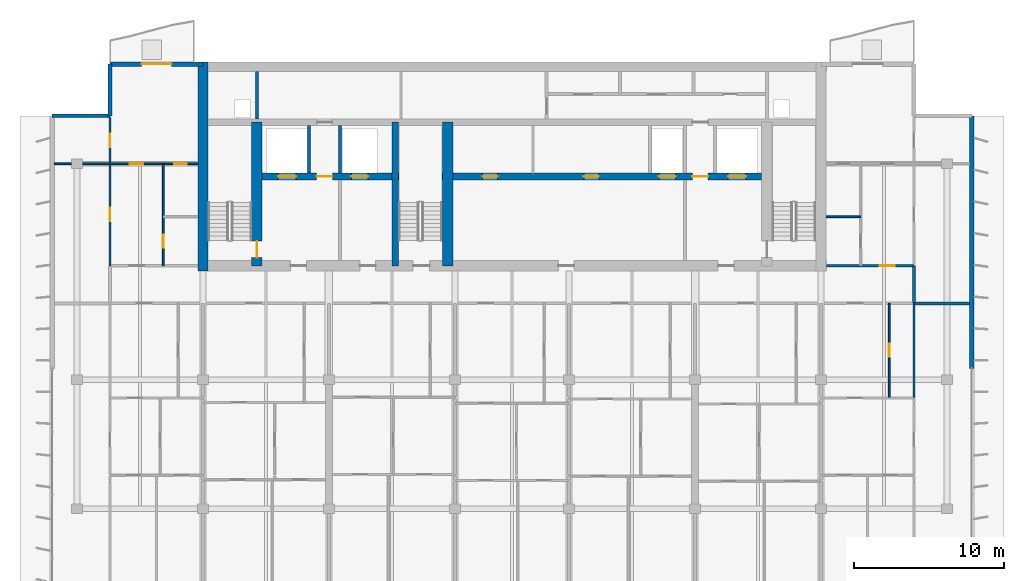
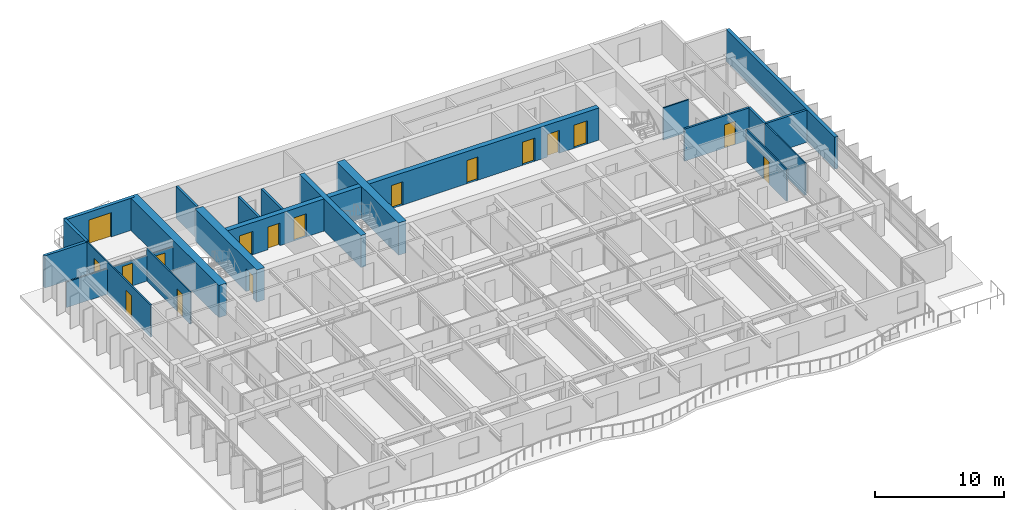
# One storey, part 10 of 17: 21 walls, 17 doors, 17 openings.
"""IFC4 building model written with IfcOpenShell, lengths in metres."""

from ifc_helpers import new_model, si_unit, direction, frame, frame_2d, origin, place, context, subcontext, project, spatial, rectangle, extrude, material, layer, layer_set, type_object, element, fill, save


model = new_model("IFC4")

# Units and contexts
model_context = context("Model", 3, precision=1e-05, world=origin(), true_north=direction((0.0, 1.0)))
body_context = subcontext(model_context, "Body", "Model", "MODEL_VIEW")
ifc_project = project(units=[si_unit("LENGTHUNIT", "METRE"), si_unit("AREAUNIT", "SQUARE_METRE"), si_unit("VOLUMEUNIT", "CUBIC_METRE"), si_unit("PLANEANGLEUNIT", "RADIAN"), si_unit("MASSUNIT", "GRAM", prefix="KILO")], contexts=[model_context])

# Site, building, storey
site_placement = place(None, origin())
site = spatial("IfcSite", under=ifc_project, at=site_placement, CompositionType="ELEMENT")
building_placement = place(site_placement, origin())
building = spatial("IfcBuilding", under=site, at=building_placement, Name="Caelmar Bay Residences", CompositionType="ELEMENT")
storey_placement = place(building_placement, frame((0.0, 0.0, 226.5)))
storey = spatial("IfcBuildingStorey", under=building, at=storey_placement, Name="L63", CompositionType="ELEMENT", Elevation=226.5)

# Wall
ifc_material_1 = material(Name="Concrete f'c 55 MPa (8,000 psi)", Category="concrete")
ifc_layer_1 = layer(ifc_material_1, 0.699951171875)
ifc_layer_set_1 = layer_set([ifc_layer_1], Name="Concrete f'c 55 MPa (8,000 psi)")
wall_type_1 = type_object("IfcWallType", Name="SW-COR-700", PredefinedType="SHEAR", material=ifc_layer_set_1)
wall_1_placement = place(storey_placement, frame((18.300048828125, 36.64990234375, 0.0), z_axis=(0.0, 0.0, 1.0), x_axis=(0.0, 1.0, 0.0)))
element("IfcWall", 1, at=wall_1_placement, inside=storey, type_object=wall_type_1, Name="L63 Rear Core West Shear Wall", PredefinedType="SHEAR", context=body_context, shape_type="SweptSolid", body=[
    extrude(rectangle(XDim=13.9501953125, YDim=0.699951171875, at=frame_2d((6.97509765625, 0.0))), origin(), (0.0, 0.0, 1.0), 3.050048828125),
])

# Wall, opening, door
wall_2_placement = place(storey_placement, frame((21.89990234375, 37.0, 0.0), z_axis=(0.0, 0.0, 1.0), x_axis=(0.0, 1.0, 0.0)))
wall_2 = element("IfcWall", 2, at=wall_2_placement, inside=storey, type_object=wall_type_1, Name="L63 Core Structural Web Wall ST1E", PredefinedType="SHEAR", context=body_context, shape_type="SweptSolid", body=[
    extrude(rectangle(XDim=9.574951171875, YDim=0.699951171875, at=frame_2d((4.78759765625, 0.0))), origin(), (0.0, 0.0, 1.0), 3.050048828125),
])
opening_1_placement = place(wall_2_placement, frame((0.550048828125, 0.0, 0.0)))
opening_1 = element("IfcOpeningElement", 3, at=opening_1_placement, cuts=wall_2, Name="Opening D-L63-107", PredefinedType="OPENING", context=body_context, shape_type="SweptSolid", body=[
    extrude(rectangle(XDim=1.10009765625, YDim=2.14990234375, at=frame_2d((0.550048828125, 1.074951171875))), frame((0.0, 0.35986328125, 0.0), z_axis=(0.0, -1.0, 0.0), x_axis=(1.0, 0.0, 0.0)), (0.0, 0.0, 1.0), 0.719970703125),
])
ifc_material_2 = material(Name="Fire-rated steel and walnut architectural door assembly", Category="steel")
ifc_layer_2 = layer(ifc_material_2, 0.050048828125)
ifc_layer_set_2 = layer_set([ifc_layer_2], Name="Fire-rated steel and walnut architectural door assembly")
door_type_1 = type_object("IfcDoorType", Name="D-STAIR-1100", OperationType="NOTDEFINED", PredefinedType="DOOR", material=ifc_layer_set_2)
door_1_placement = place(opening_1_placement, origin())
door_1 = element("IfcDoor", 4, at=door_1_placement, inside=storey, type_object=door_type_1, Name="L63 Firefighting Lobby West Door", OperationType="SINGLE_SWING_RIGHT", OverallHeight=2.14990234375, OverallWidth=1.10009765625, PredefinedType="DOOR", context=body_context, shape_type="SweptSolid", body=[
    extrude(rectangle(XDim=1.10009765625, YDim=2.14990234375, at=frame_2d((0.550048828125, 1.074951171875))), frame((0.0, 0.02490234375, 0.0), z_axis=(0.0, -1.0, 0.0), x_axis=(1.0, 0.0, 0.0)), (0.0, 0.0, 1.0), 0.050048828125),
])
fill(opening_1, door_1)

# Walls
wall_3_placement = place(storey_placement, frame((34.60009765625, 37.0, 0.0), z_axis=(0.0, 0.0, 1.0), x_axis=(0.0, 1.0, 0.0)))
element("IfcWall", 5, at=wall_3_placement, inside=storey, type_object=wall_type_1, Name="L63 Core Structural Web Wall ST3E", PredefinedType="SHEAR", context=body_context, shape_type="SweptSolid", body=[
    extrude(rectangle(XDim=9.574951171875, YDim=0.699951171875, at=frame_2d((4.78759765625, 0.0))), origin(), (0.0, 0.0, 1.0), 3.050048828125),
])
ifc_material_3 = material(Name="Concrete f'c 70 MPa (10,000 psi)", Category="concrete")
ifc_layer_3 = layer(ifc_material_3, 0.449951171875)
ifc_layer_set_3 = layer_set([ifc_layer_3], Name="Concrete f'c 70 MPa (10,000 psi)")
wall_type_2 = type_object("IfcWallType", Name="SW-WEB-450", PredefinedType="SHEAR", material=ifc_layer_set_3)
wall_4_placement = place(storey_placement, frame((31.125, 37.0, 0.0), z_axis=(0.0, 0.0, 1.0), x_axis=(0.0, 1.0, 0.0)))
element("IfcWall", 6, at=wall_4_placement, inside=storey, type_object=wall_type_2, Name="L63 Core Structural Web Wall ST3W", PredefinedType="SHEAR", context=body_context, shape_type="SweptSolid", body=[
    extrude(rectangle(XDim=9.574951171875, YDim=0.449951171875, at=frame_2d((4.78759765625, 0.0))), origin(), (0.0, 0.0, 1.0), 3.050048828125),
])

# Wall, openings, doors
wall_5_placement = place(storey_placement, frame((22.25, 42.949951171875, 0.0), z_axis=(0.0, 0.0, 1.0), x_axis=(1.0, 0.0, 0.0)))
wall_5 = element("IfcWall", 7, at=wall_5_placement, inside=storey, type_object=wall_type_2, Name="L63 Core Structural Web Wall LFR", PredefinedType="SHEAR", context=body_context, shape_type="SweptSolid", body=[
    extrude(rectangle(XDim=33.300048828125, YDim=0.449951171875, at=frame_2d((16.64990234375, 0.0))), origin(), (0.0, 0.0, 1.0), 3.050048828125),
])
opening_2_placement = place(wall_5_placement, frame((1.050048828125, 0.0, 0.0)))
opening_2 = element("IfcOpeningElement", 8, at=opening_2_placement, cuts=wall_5, Name="Opening LD2", PredefinedType="OPENING", context=body_context, shape_type="SweptSolid", body=[
    extrude(rectangle(XDim=1.199951171875, YDim=2.199951171875, at=frame_2d((0.60009765625, 1.10009765625))), frame((0.0, 0.23486328125, 0.0), z_axis=(0.0, -1.0, 0.0), x_axis=(1.0, 0.0, 0.0)), (0.0, 0.0, 1.0), 0.469970703125),
])
opening_3_placement = place(wall_5_placement, frame((31.050048828125, 0.0, 0.0)))
opening_3 = element("IfcOpeningElement", 9, at=opening_3_placement, cuts=wall_5, Name="Opening LD2", PredefinedType="OPENING", context=body_context, shape_type="SweptSolid", body=[
    extrude(rectangle(XDim=1.199951171875, YDim=2.199951171875, at=frame_2d((0.60009765625, 1.10009765625))), frame((0.0, 0.23486328125, 0.0), z_axis=(0.0, -1.0, 0.0), x_axis=(1.0, 0.0, 0.0)), (0.0, 0.0, 1.0), 0.469970703125),
])
opening_4_placement = place(wall_5_placement, frame((26.449951171875, 0.0, 0.0)))
opening_4 = element("IfcOpeningElement", 10, at=opening_4_placement, cuts=wall_5, Name="Opening LD1", PredefinedType="OPENING", context=body_context, shape_type="SweptSolid", body=[
    extrude(rectangle(XDim=1.10009765625, YDim=2.199951171875, at=frame_2d((0.550048828125, 1.10009765625))), frame((0.0, 0.23486328125, 0.0), z_axis=(0.0, -1.0, 0.0), x_axis=(1.0, 0.0, 0.0)), (0.0, 0.0, 1.0), 0.469970703125),
])
opening_5_placement = place(wall_5_placement, frame((5.949951171875, 0.0, 0.0)))
opening_5 = element("IfcOpeningElement", 11, at=opening_5_placement, cuts=wall_5, Name="Opening LD1", PredefinedType="OPENING", context=body_context, shape_type="SweptSolid", body=[
    extrude(rectangle(XDim=1.10009765625, YDim=2.199951171875, at=frame_2d((0.550048828125, 1.10009765625))), frame((0.0, 0.23486328125, 0.0), z_axis=(0.0, -1.0, 0.0), x_axis=(1.0, 0.0, 0.0)), (0.0, 0.0, 1.0), 0.469970703125),
])
opening_6_placement = place(wall_5_placement, frame((3.625, 0.0, 0.0)))
opening_6 = element("IfcOpeningElement", 12, at=opening_6_placement, cuts=wall_5, Name="Opening D-L63-108", PredefinedType="OPENING", context=body_context, shape_type="SweptSolid", body=[
    extrude(rectangle(XDim=1.050048828125, YDim=2.14990234375, at=frame_2d((0.52490234375, 1.074951171875))), frame((0.0, 0.23486328125, 0.0), z_axis=(0.0, -1.0, 0.0), x_axis=(1.0, 0.0, 0.0)), (0.0, 0.0, 1.0), 0.469970703125),
])
opening_7_placement = place(wall_5_placement, frame((28.675048828125, 0.0, 0.0)))
opening_7 = element("IfcOpeningElement", 13, at=opening_7_placement, cuts=wall_5, Name="Opening D-L63-111", PredefinedType="OPENING", context=body_context, shape_type="SweptSolid", body=[
    extrude(rectangle(XDim=1.050048828125, YDim=2.14990234375, at=frame_2d((0.52490234375, 1.074951171875))), frame((0.0, 0.23486328125, 0.0), z_axis=(0.0, -1.0, 0.0), x_axis=(1.0, 0.0, 0.0)), (0.0, 0.0, 1.0), 0.469970703125),
])
opening_8_placement = place(wall_5_placement, frame((14.699951171875, 0.0, 0.0)))
opening_8 = element("IfcOpeningElement", 14, at=opening_8_placement, cuts=wall_5, Name="Opening D-L63-114", PredefinedType="OPENING", context=body_context, shape_type="SweptSolid", body=[
    extrude(rectangle(XDim=1.0, YDim=2.199951171875, at=frame_2d((0.5, 1.10009765625))), frame((0.0, 0.23486328125, 0.0), z_axis=(0.0, -1.0, 0.0), x_axis=(1.0, 0.0, 0.0)), (0.0, 0.0, 1.0), 0.469970703125),
])
opening_9_placement = place(wall_5_placement, frame((21.449951171875, 0.0, 0.0)))
opening_9 = element("IfcOpeningElement", 15, at=opening_9_placement, cuts=wall_5, Name="Opening D-L63-115", PredefinedType="OPENING", context=body_context, shape_type="SweptSolid", body=[
    extrude(rectangle(XDim=1.0, YDim=2.199951171875, at=frame_2d((0.5, 1.10009765625))), frame((0.0, 0.23486328125, 0.0), z_axis=(0.0, -1.0, 0.0), x_axis=(1.0, 0.0, 0.0)), (0.0, 0.0, 1.0), 0.469970703125),
])
ifc_layer_4 = layer(ifc_material_2, 0.050048828125)
ifc_layer_set_4 = layer_set([ifc_layer_4], Name="Fire-rated steel and walnut architectural door assembly")
door_type_2 = type_object("IfcDoorType", Name="D-FSAE-1050", OperationType="NOTDEFINED", PredefinedType="DOOR", material=ifc_layer_set_4)
door_2_placement = place(opening_6_placement, origin())
door_2 = element("IfcDoor", 16, at=door_2_placement, inside=storey, type_object=door_type_2, Name="L63 Firefighting Lobby West Door", OperationType="SINGLE_SWING_LEFT", OverallHeight=2.14990234375, OverallWidth=1.050048828125, PredefinedType="DOOR", context=body_context, shape_type="SweptSolid", body=[
    extrude(rectangle(XDim=1.050048828125, YDim=2.14990234375, at=frame_2d((0.52490234375, 1.074951171875))), frame((0.0, 0.02490234375, 0.0), z_axis=(0.0, -1.0, 0.0), x_axis=(1.0, 0.0, 0.0)), (0.0, 0.0, 1.0), 0.050048828125),
])
fill(opening_6, door_2)
door_3_placement = place(opening_7_placement, origin())
door_3 = element("IfcDoor", 17, at=door_3_placement, inside=storey, type_object=door_type_2, Name="L63 Firefighting Lobby East Door", OperationType="SINGLE_SWING_RIGHT", OverallHeight=2.14990234375, OverallWidth=1.050048828125, PredefinedType="DOOR", context=body_context, shape_type="SweptSolid", body=[
    extrude(rectangle(XDim=1.050048828125, YDim=2.14990234375, at=frame_2d((0.52490234375, 1.074951171875))), frame((0.0, 0.02490234375, 0.0), z_axis=(0.0, -1.0, 0.0), x_axis=(1.0, 0.0, 0.0)), (0.0, 0.0, 1.0), 0.050048828125),
])
fill(opening_7, door_3)
ifc_material_4 = material(Name="Brushed bronze stainless-steel fire-rated lift landing doors", Category="steel")
ifc_layer_5 = layer(ifc_material_4, 0.050048828125)
ifc_layer_set_5 = layer_set([ifc_layer_5], Name="Brushed bronze stainless-steel fire-rated lift landing doors")
door_type_3 = type_object("IfcDoorType", Name="D-LND-1100", OperationType="DOUBLE_DOOR_SLIDING", PredefinedType="DOOR", material=ifc_layer_set_5)
door_4_placement = place(opening_4_placement, origin())
door_4 = element("IfcDoor", 18, at=door_4_placement, inside=storey, type_object=door_type_3, Name="L63 LP6 Sliding Landing Door", OperationType="DOUBLE_DOOR_SLIDING", OverallHeight=2.199951171875, OverallWidth=1.10009765625, PredefinedType="DOOR", context=body_context, shape_type="SweptSolid", body=[
    extrude(rectangle(XDim=1.10009765625, YDim=2.199951171875, at=frame_2d((0.550048828125, 1.10009765625))), frame((0.0, 0.02490234375, 0.0), z_axis=(0.0, -1.0, 0.0), x_axis=(1.0, 0.0, 0.0)), (0.0, 0.0, 1.0), 0.050048828125),
])
fill(opening_4, door_4)
door_5_placement = place(opening_5_placement, origin())
door_5 = element("IfcDoor", 19, at=door_5_placement, inside=storey, type_object=door_type_3, Name="L63 LP7 Sliding Landing Door", OperationType="DOUBLE_DOOR_SLIDING", OverallHeight=2.199951171875, OverallWidth=1.10009765625, PredefinedType="DOOR", context=body_context, shape_type="SweptSolid", body=[
    extrude(rectangle(XDim=1.10009765625, YDim=2.199951171875, at=frame_2d((0.550048828125, 1.10009765625))), frame((0.0, 0.02490234375, 0.0), z_axis=(0.0, -1.0, 0.0), x_axis=(1.0, 0.0, 0.0)), (0.0, 0.0, 1.0), 0.050048828125),
])
fill(opening_5, door_5)
ifc_material_5 = material(Name="Brushed stainless-steel FSAE sliding landing door", Category="steel")
ifc_layer_6 = layer(ifc_material_5, 0.050048828125)
ifc_layer_set_6 = layer_set([ifc_layer_6], Name="Brushed stainless-steel FSAE sliding landing door")
door_type_4 = type_object("IfcDoorType", Name="D-LND-1200", OperationType="DOUBLE_DOOR_SLIDING", PredefinedType="DOOR", material=ifc_layer_set_6)
door_6_placement = place(opening_2_placement, origin())
door_6 = element("IfcDoor", 20, at=door_6_placement, inside=storey, type_object=door_type_4, Name="L63 LF1 Sliding Landing Door", OperationType="DOUBLE_DOOR_SLIDING", OverallHeight=2.199951171875, OverallWidth=1.199951171875, PredefinedType="DOOR", context=body_context, shape_type="SweptSolid", body=[
    extrude(rectangle(XDim=1.199951171875, YDim=2.199951171875, at=frame_2d((0.60009765625, 1.10009765625))), frame((0.0, 0.02490234375, 0.0), z_axis=(0.0, -1.0, 0.0), x_axis=(1.0, 0.0, 0.0)), (0.0, 0.0, 1.0), 0.050048828125),
])
fill(opening_2, door_6)
door_7_placement = place(opening_3_placement, origin())
door_7 = element("IfcDoor", 21, at=door_7_placement, inside=storey, type_object=door_type_4, Name="L63 LF2 Sliding Landing Door", OperationType="DOUBLE_DOOR_SLIDING", OverallHeight=2.199951171875, OverallWidth=1.199951171875, PredefinedType="DOOR", context=body_context, shape_type="SweptSolid", body=[
    extrude(rectangle(XDim=1.199951171875, YDim=2.199951171875, at=frame_2d((0.60009765625, 1.10009765625))), frame((0.0, 0.02490234375, 0.0), z_axis=(0.0, -1.0, 0.0), x_axis=(1.0, 0.0, 0.0)), (0.0, 0.0, 1.0), 0.050048828125),
])
fill(opening_3, door_7)
ifc_layer_7 = layer(ifc_material_2, 0.050048828125)
ifc_layer_set_7 = layer_set([ifc_layer_7], Name="Fire-rated steel and walnut architectural door assembly")
door_type_5 = type_object("IfcDoorType", Name="D-UNIT-1000", OperationType="NOTDEFINED", PredefinedType="DOOR", material=ifc_layer_set_7)
door_8_placement = place(opening_8_placement, origin())
door_8 = element("IfcDoor", 22, at=door_8_placement, inside=storey, type_object=door_type_5, Name="L63 Executive Study Door", OperationType="SINGLE_SWING_LEFT", OverallHeight=2.199951171875, OverallWidth=1.0, PredefinedType="DOOR", context=body_context, shape_type="SweptSolid", body=[
    extrude(rectangle(XDim=1.0, YDim=2.199951171875, at=frame_2d((0.5, 1.10009765625))), frame((0.0, 0.02490234375, 0.0), z_axis=(0.0, -1.0, 0.0), x_axis=(1.0, 0.0, 0.0)), (0.0, 0.0, 1.0), 0.050048828125),
])
fill(opening_8, door_8)
door_9_placement = place(opening_9_placement, origin())
door_9 = element("IfcDoor", 23, at=door_9_placement, inside=storey, type_object=door_type_5, Name="L63 Residents Reading Lounge Door", OperationType="SINGLE_SWING_RIGHT", OverallHeight=2.199951171875, OverallWidth=1.0, PredefinedType="DOOR", context=body_context, shape_type="SweptSolid", body=[
    extrude(rectangle(XDim=1.0, YDim=2.199951171875, at=frame_2d((0.5, 1.10009765625))), frame((0.0, 0.02490234375, 0.0), z_axis=(0.0, -1.0, 0.0), x_axis=(1.0, 0.0, 0.0)), (0.0, 0.0, 1.0), 0.050048828125),
])
fill(opening_9, door_9)

# Wall
ifc_material_6 = material(Name="Double-stud acoustic fire-rated gypsum partition 180 mm")
ifc_layer_8 = layer(ifc_material_6, 0.179931640625)
ifc_layer_set_8 = layer_set([ifc_layer_8], Name="Double-stud acoustic fire-rated gypsum partition 180 mm")
wall_type_3 = type_object("IfcWallType", Name="W-COR-200", PredefinedType="PARTITIONING", material=ifc_layer_set_8)
wall_6_placement = place(storey_placement, frame((65.699951171875, 34.5048828125, 0.0), z_axis=(0.0, 0.0, 1.0), x_axis=(0.0, 1.0, 0.0)))
element("IfcWall", 24, at=wall_6_placement, inside=storey, type_object=wall_type_3, Name="L63 Partition Wall V099", PredefinedType="PARTITIONING", context=body_context, shape_type="SweptSolid", body=[
    extrude(rectangle(XDim=2.4951171875, YDim=0.179931640625, at=frame_2d((1.24755859375, 0.0))), origin(), (0.0, 0.0, 1.0), 3.050048828125),
])

# Wall, opening, door
wall_7_placement = place(storey_placement, frame((59.85498046875, 37.0, 0.0), z_axis=(0.0, 0.0, 1.0), x_axis=(1.0, 0.0, 0.0)))
wall_7 = element("IfcWall", 25, at=wall_7_placement, inside=storey, type_object=wall_type_3, Name="L63 Partition Wall H124", PredefinedType="PARTITIONING", context=body_context, shape_type="SweptSolid", body=[
    extrude(rectangle(XDim=5.844970703125, YDim=0.179931640625, at=frame_2d((2.92236328125, 0.0))), origin(), (0.0, 0.0, 1.0), 3.050048828125),
])
opening_10_placement = place(wall_7_placement, frame((3.570068359375, 0.0, 0.0)))
opening_10 = element("IfcOpeningElement", 26, at=opening_10_placement, cuts=wall_7, Name="Opening D-L63-173", PredefinedType="OPENING", context=body_context, shape_type="SweptSolid", body=[
    extrude(rectangle(XDim=1.0, YDim=2.199951171875, at=frame_2d((0.5, 1.10009765625))), frame((0.0, 0.099853515625, 0.0), z_axis=(0.0, -1.0, 0.0), x_axis=(1.0, 0.0, 0.0)), (0.0, 0.0, 1.0), 0.199951171875),
])
door_10_placement = place(opening_10_placement, origin())
door_10 = element("IfcDoor", 27, at=door_10_placement, inside=storey, type_object=door_type_5, Name="L63 Residence EA Kitchen Door", OperationType="SINGLE_SWING_RIGHT", OverallHeight=2.199951171875, OverallWidth=1.0, PredefinedType="DOOR", context=body_context, shape_type="SweptSolid", body=[
    extrude(rectangle(XDim=1.0, YDim=2.199951171875, at=frame_2d((0.5, 1.10009765625))), frame((0.0, 0.02490234375, 0.0), z_axis=(0.0, -1.0, 0.0), x_axis=(1.0, 0.0, 0.0)), (0.0, 0.0, 1.0), 0.050048828125),
])
fill(opening_10, door_10)

# Walls
ifc_material_7 = material(Name="Precast concrete f'c 40 MPa (6,000 psi)", Category="concrete")
ifc_layer_9 = layer(ifc_material_7, 0.25)
ifc_layer_set_9 = layer_set([ifc_layer_9], Name="Precast concrete f'c 40 MPa (6,000 psi)")
wall_type_4 = type_object("IfcWallType", Name="W-EXT-250", PredefinedType="ELEMENTEDWALL", material=ifc_layer_set_9)
wall_8_placement = place(storey_placement, frame((8.25, 47.0, 0.0), z_axis=(0.0, 0.0, 1.0), x_axis=(1.0, 0.0, 0.0)))
element("IfcWall", 28, at=wall_8_placement, inside=storey, type_object=wall_type_4, Name="L63 NNW-H Notch Wall", PredefinedType="ELEMENTEDWALL", context=body_context, shape_type="SweptSolid", body=[
    extrude(rectangle(XDim=3.85009765625, YDim=0.25, at=frame_2d((1.925048828125, 0.0))), origin(), (0.0, 0.0, 1.0), 3.050048828125),
])
wall_9_placement = place(storey_placement, frame((12.10009765625, 47.0, 0.0), z_axis=(0.0, 0.0, 1.0), x_axis=(0.0, 1.0, 0.0)))
element("IfcWall", 29, at=wall_9_placement, inside=storey, type_object=wall_type_4, Name="L63 NNW-V Notch Wall", PredefinedType="ELEMENTEDWALL", context=body_context, shape_type="SweptSolid", body=[
    extrude(rectangle(XDim=3.449951171875, YDim=0.25, at=frame_2d((1.72509765625, 0.0))), origin(), (0.0, 0.0, 1.0), 3.050048828125),
])
ifc_layer_10 = layer(ifc_material_7, 0.300048828125)
ifc_layer_set_10 = layer_set([ifc_layer_10], Name="Precast concrete f'c 40 MPa (6,000 psi)")
wall_type_5 = type_object("IfcWallType", Name="W-EXT-300", PredefinedType="STANDARD", material=ifc_layer_set_10)
wall_10_placement = place(storey_placement, frame((69.550048828125, 47.0, 0.0), z_axis=(0.0, 0.0, 1.0), x_axis=(0.0, -1.0, 0.0)))
element("IfcWall", 30, at=wall_10_placement, inside=storey, type_object=wall_type_5, Name="L63 East Rear Exterior Wall", PredefinedType="STANDARD", context=body_context, shape_type="SweptSolid", body=[
    extrude(rectangle(XDim=16.85009765625, YDim=0.300048828125, at=frame_2d((8.425048828125, 0.0))), origin(), (0.0, 0.0, 1.0), 3.050048828125),
])

# Wall, opening, door
wall_11_placement = place(storey_placement, frame((12.10009765625, 50.449951171875, 0.0), z_axis=(0.0, 0.0, 1.0), x_axis=(1.0, 0.0, 0.0)))
wall_11 = element("IfcWall", 31, at=wall_11_placement, inside=storey, type_object=wall_type_5, Name="L63 North-West Wing Exterior Wall", PredefinedType="STANDARD", context=body_context, shape_type="SweptSolid", body=[
    extrude(rectangle(XDim=6.199951171875, YDim=0.300048828125, at=frame_2d((3.10009765625, 0.0))), origin(), (0.0, 0.0, 1.0), 3.050048828125),
])
opening_11_placement = place(wall_11_placement, frame((2.10009765625, 0.0, 0.0)))
opening_11 = element("IfcOpeningElement", 32, at=opening_11_placement, cuts=wall_11, Name="Opening L63-BDNW", PredefinedType="OPENING", context=body_context, shape_type="SweptSolid", body=[
    extrude(rectangle(XDim=2.0, YDim=2.300048828125, at=frame_2d((1.0, 1.14990234375))), frame((0.0, 0.159912109375, 0.0), z_axis=(0.0, -1.0, 0.0), x_axis=(1.0, 0.0, 0.0)), (0.0, 0.0, 1.0), 0.320068359375),
])
ifc_material_8 = material(Name="Anodised bronze thermally broken sliding glass door", Category="glass")
ifc_layer_11 = layer(ifc_material_8, 0.050048828125)
ifc_layer_set_11 = layer_set([ifc_layer_11], Name="Anodised bronze thermally broken sliding glass door")
door_type_6 = type_object("IfcDoorType", Name="D-BAL-2000", OperationType="DOUBLE_DOOR_SLIDING", PredefinedType="DOOR", material=ifc_layer_set_11)
door_11_placement = place(opening_11_placement, origin())
door_11 = element("IfcDoor", 33, at=door_11_placement, inside=storey, type_object=door_type_6, Name="L63 North-West Balcony Door", OperationType="DOUBLE_DOOR_SLIDING", OverallHeight=2.300048828125, OverallWidth=2.0, PredefinedType="DOOR", context=body_context, shape_type="SweptSolid", body=[
    extrude(rectangle(XDim=2.0, YDim=2.300048828125, at=frame_2d((1.0, 1.14990234375))), frame((0.0, 0.02490234375, 0.0), z_axis=(0.0, -1.0, 0.0), x_axis=(1.0, 0.0, 0.0)), (0.0, 0.0, 1.0), 0.050048828125),
])
fill(opening_11, door_11)

# Walls
ifc_material_9 = material(Name="Fire-rated masonry and gypsum shaftliner assembly 200 mm", Category="masonry")
ifc_layer_12 = layer(ifc_material_9, 0.199951171875)
ifc_layer_set_12 = layer_set([ifc_layer_12], Name="Fire-rated masonry and gypsum shaftliner assembly 200 mm")
wall_type_6 = type_object("IfcWallType", Name="W-FSAE-200", PredefinedType="PARTITIONING", material=ifc_layer_set_12)
wall_12_placement = place(storey_placement, frame((21.89990234375, 46.794921875, 0.0), z_axis=(0.0, 0.0, 1.0), x_axis=(0.0, 1.0, 0.0)))
element("IfcWall", 34, at=wall_12_placement, inside=storey, type_object=wall_type_6, Name="L63 Partition Wall V021", PredefinedType="PARTITIONING", context=body_context, shape_type="SweptSolid", body=[
    extrude(rectangle(XDim=3.16015625, YDim=0.199951171875, at=frame_2d((1.580078125, 0.0))), origin(), (0.0, 0.0, 1.0), 3.050048828125),
])
for number, where, z_axis, x_axis, name in (
    (35, (25.35009765625, 43.169921875, 0.0), (0.0, 0.0, 1.0), (0.0, 1.0, 0.0), "L63 Partition Wall V028"),
    (36, (27.449951171875, 43.169921875, 0.0), (0.0, 0.0, 1.0), (0.0, 1.0, 0.0), "L63 Partition Wall V033"),
):
    element("IfcWall", number, at=place(storey_placement, frame(where, z_axis=z_axis, x_axis=x_axis)), inside=storey, type_object=wall_type_6, Name=name, PredefinedType="PARTITIONING", context=body_context, shape_type="SweptSolid", body=[
        extrude(rectangle(XDim=3.18505859375, YDim=0.199951171875, at=frame_2d((1.592529296875, 0.0))), origin(), (0.0, 0.0, 1.0), 3.050048828125),
    ])

# Wall, openings, doors
ifc_material_10 = material(Name="Acoustic metal-stud gypsum partition 120 mm")
ifc_layer_13 = layer(ifc_material_10, 0.1201171875)
ifc_layer_set_13 = layer_set([ifc_layer_13], Name="Acoustic metal-stud gypsum partition 120 mm")
wall_type_7 = type_object("IfcWallType", Name="W-PRT-120", PredefinedType="PARTITIONING", material=ifc_layer_set_13)
wall_13_placement = place(storey_placement, frame((12.10009765625, 37.0048828125, 0.0), z_axis=(0.0, 0.0, 1.0), x_axis=(0.0, 1.0, 0.0)))
wall_13 = element("IfcWall", 37, at=wall_13_placement, inside=storey, type_object=wall_type_7, Name="L63 Partition Wall V007", PredefinedType="PARTITIONING", context=body_context, shape_type="SweptSolid", body=[
    extrude(rectangle(XDim=9.875, YDim=0.1201171875, at=frame_2d((4.9375, 0.0))), origin(), (0.0, 0.0, 1.0), 3.050048828125),
])
opening_12_placement = place(wall_13_placement, frame((2.947509765625, 0.0, 0.0)))
opening_12 = element("IfcOpeningElement", 38, at=opening_12_placement, cuts=wall_13, Name="Opening D-L63-171", PredefinedType="OPENING", context=body_context, shape_type="SweptSolid", body=[
    extrude(rectangle(XDim=0.89990234375, YDim=2.14990234375, at=frame_2d((0.449951171875, 1.074951171875))), frame((0.0, 0.070068359375, 0.0), z_axis=(0.0, -1.0, 0.0), x_axis=(1.0, 0.0, 0.0)), (0.0, 0.0, 1.0), 0.14013671875),
])
opening_13_placement = place(wall_13_placement, frame((7.885009765625, 0.0, 0.0)))
opening_13 = element("IfcOpeningElement", 39, at=opening_13_placement, cuts=wall_13, Name="Opening D-L63-172", PredefinedType="OPENING", context=body_context, shape_type="SweptSolid", body=[
    extrude(rectangle(XDim=0.89990234375, YDim=2.14990234375, at=frame_2d((0.449951171875, 1.074951171875))), frame((0.0, 0.070068359375, 0.0), z_axis=(0.0, -1.0, 0.0), x_axis=(1.0, 0.0, 0.0)), (0.0, 0.0, 1.0), 0.14013671875),
])
ifc_material_11 = material(Name="Solid walnut timber interior door leaf and frame", Category="wood")
ifc_layer_14 = layer(ifc_material_11, 0.050048828125)
ifc_layer_set_14 = layer_set([ifc_layer_14], Name="Solid walnut timber interior door leaf and frame")
door_type_7 = type_object("IfcDoorType", Name="D-ROOM-900", OperationType="NOTDEFINED", PredefinedType="DOOR", material=ifc_layer_set_14)
door_12_placement = place(opening_12_placement, origin())
door_12 = element("IfcDoor", 40, at=door_12_placement, inside=storey, type_object=door_type_7, Name="L63 Residence WA Sun Study Door", OperationType="SINGLE_SWING_RIGHT", OverallHeight=2.14990234375, OverallWidth=0.89990234375, PredefinedType="DOOR", context=body_context, shape_type="SweptSolid", body=[
    extrude(rectangle(XDim=0.89990234375, YDim=2.14990234375, at=frame_2d((0.449951171875, 1.074951171875))), frame((0.0, 0.02490234375, 0.0), z_axis=(0.0, -1.0, 0.0), x_axis=(1.0, 0.0, 0.0)), (0.0, 0.0, 1.0), 0.050048828125),
])
fill(opening_12, door_12)
door_13_placement = place(opening_13_placement, origin())
door_13 = element("IfcDoor", 41, at=door_13_placement, inside=storey, type_object=door_type_7, Name="L63 Residence WA North Sitting Alcove Door", OperationType="SINGLE_SWING_LEFT", OverallHeight=2.14990234375, OverallWidth=0.89990234375, PredefinedType="DOOR", context=body_context, shape_type="SweptSolid", body=[
    extrude(rectangle(XDim=0.89990234375, YDim=2.14990234375, at=frame_2d((0.449951171875, 1.074951171875))), frame((0.0, 0.02490234375, 0.0), z_axis=(0.0, -1.0, 0.0), x_axis=(1.0, 0.0, 0.0)), (0.0, 0.0, 1.0), 0.050048828125),
])
fill(opening_13, door_13)

# Wall, opening, door
wall_14_placement = place(storey_placement, frame((15.64990234375, 37.0, 0.0), z_axis=(0.0, 0.0, 1.0), x_axis=(0.0, 1.0, 0.0)))
wall_14 = element("IfcWall", 42, at=wall_14_placement, inside=storey, type_object=wall_type_7, Name="L63 Partition Wall V013", PredefinedType="PARTITIONING", context=body_context, shape_type="SweptSolid", body=[
    extrude(rectangle(XDim=6.800048828125, YDim=0.1201171875, at=frame_2d((3.39990234375, 0.0))), origin(), (0.0, 0.0, 1.0), 3.050048828125),
])
opening_14_placement = place(wall_14_placement, frame((1.20703125, 0.0, 0.0)))
opening_14 = element("IfcOpeningElement", 43, at=opening_14_placement, cuts=wall_14, Name="Opening D-L63-169", PredefinedType="OPENING", context=body_context, shape_type="SweptSolid", body=[
    extrude(rectangle(XDim=0.85009765625, YDim=2.10009765625, at=frame_2d((0.425048828125, 1.050048828125))), frame((0.0, 0.070068359375, 0.0), z_axis=(0.0, -1.0, 0.0), x_axis=(1.0, 0.0, 0.0)), (0.0, 0.0, 1.0), 0.14013671875),
])
ifc_layer_15 = layer(ifc_material_11, 0.050048828125)
ifc_layer_set_15 = layer_set([ifc_layer_15], Name="Solid walnut timber interior door leaf and frame")
door_type_8 = type_object("IfcDoorType", Name="D-BATH-850", OperationType="NOTDEFINED", PredefinedType="DOOR", material=ifc_layer_set_15)
door_14_placement = place(opening_14_placement, origin())
door_14 = element("IfcDoor", 44, at=door_14_placement, inside=storey, type_object=door_type_8, Name="L63 Residence WA Walk-In Closet Door", OperationType="SINGLE_SWING_RIGHT", OverallHeight=2.10009765625, OverallWidth=0.85009765625, PredefinedType="DOOR", context=body_context, shape_type="SweptSolid", body=[
    extrude(rectangle(XDim=0.85009765625, YDim=2.10009765625, at=frame_2d((0.425048828125, 1.050048828125))), frame((0.0, 0.02490234375, 0.0), z_axis=(0.0, -1.0, 0.0), x_axis=(1.0, 0.0, 0.0)), (0.0, 0.0, 1.0), 0.050048828125),
])
fill(opening_14, door_14)

wall_15_placement = place(storey_placement, frame((64.050048828125, 28.239990234375, 0.0), z_axis=(0.0, 0.0, 1.0), x_axis=(0.0, 1.0, 0.0)))
wall_15 = element("IfcWall", 45, at=wall_15_placement, inside=storey, type_object=wall_type_7, Name="L63 Partition Wall V093", PredefinedType="PARTITIONING", context=body_context, shape_type="SweptSolid", body=[
    extrude(rectangle(XDim=6.260009765625, YDim=0.1201171875, at=frame_2d((3.1298828125, 0.0))), origin(), (0.0, 0.0, 1.0), 3.050048828125),
])
opening_15_placement = place(wall_15_placement, frame((2.705078125, 0.0, 0.0)))
opening_15 = element("IfcOpeningElement", 46, at=opening_15_placement, cuts=wall_15, Name="Opening D-L63-161", PredefinedType="OPENING", context=body_context, shape_type="SweptSolid", body=[
    extrude(rectangle(XDim=0.85009765625, YDim=2.10009765625, at=frame_2d((0.425048828125, 1.050048828125))), frame((0.0, 0.070068359375, 0.0), z_axis=(0.0, -1.0, 0.0), x_axis=(1.0, 0.0, 0.0)), (0.0, 0.0, 1.0), 0.14013671875),
])
door_15_placement = place(opening_15_placement, origin())
door_15 = element("IfcDoor", 47, at=door_15_placement, inside=storey, type_object=door_type_8, Name="L63 Residence 07 Bathroom Door", OperationType="SINGLE_SWING_RIGHT", OverallHeight=2.10009765625, OverallWidth=0.85009765625, PredefinedType="DOOR", context=body_context, shape_type="SweptSolid", body=[
    extrude(rectangle(XDim=0.85009765625, YDim=2.10009765625, at=frame_2d((0.425048828125, 1.050048828125))), frame((0.0, 0.02490234375, 0.0), z_axis=(0.0, -1.0, 0.0), x_axis=(1.0, 0.0, 0.0)), (0.0, 0.0, 1.0), 0.050048828125),
])
fill(opening_15, door_15)

# Walls
wall_16_placement = place(storey_placement, frame((65.699951171875, 28.239990234375, 0.0), z_axis=(0.0, 0.0, 1.0), x_axis=(0.0, 1.0, 0.0)))
element("IfcWall", 48, at=wall_16_placement, inside=storey, type_object=wall_type_7, Name="L63 Partition Wall V098", PredefinedType="PARTITIONING", context=body_context, shape_type="SweptSolid", body=[
    extrude(rectangle(XDim=6.260009765625, YDim=0.1201171875, at=frame_2d((3.1298828125, 0.0))), origin(), (0.0, 0.0, 1.0), 3.050048828125),
])
wall_17_placement = place(storey_placement, frame((59.844970703125, 40.263916015625, 0.0), z_axis=(0.0, 0.0, 1.0), x_axis=(1.0, 0.0, 0.0)))
element("IfcWall", 49, at=wall_17_placement, inside=storey, type_object=wall_type_7, Name="L63 Partition Wall H126", PredefinedType="PARTITIONING", context=body_context, shape_type="SweptSolid", body=[
    extrude(rectangle(XDim=2.304931640625, YDim=0.1201171875, at=frame_2d((1.15234375, 0.0))), origin(), (0.0, 0.0, 1.0), 3.050048828125),
])

# Wall, openings, doors
wall_18_placement = place(storey_placement, frame((8.39501953125, 43.800048828125, 0.0), z_axis=(0.0, 0.0, 1.0), x_axis=(1.0, 0.0, 0.0)))
wall_18 = element("IfcWall", 50, at=wall_18_placement, inside=storey, type_object=wall_type_7, Name="L63 Partition Wall H127", PredefinedType="PARTITIONING", context=body_context, shape_type="SweptSolid", body=[
    extrude(rectangle(XDim=9.56005859375, YDim=0.1201171875, at=frame_2d((4.780029296875, 0.0))), origin(), (0.0, 0.0, 1.0), 2.41796875),
])
opening_16_placement = place(wall_18_placement, frame((5.030029296875, 0.0, 0.0)))
opening_16 = element("IfcOpeningElement", 51, at=opening_16_placement, cuts=wall_18, Name="Opening D-L63-168", PredefinedType="OPENING", context=body_context, shape_type="SweptSolid", body=[
    extrude(rectangle(XDim=0.89990234375, YDim=2.14990234375, at=frame_2d((0.449951171875, 1.074951171875))), frame((0.0, 0.070068359375, 0.0), z_axis=(0.0, -1.0, 0.0), x_axis=(1.0, 0.0, 0.0)), (0.0, 0.0, 1.0), 0.14013671875),
])
opening_17_placement = place(wall_18_placement, frame((7.982421875, 0.0, 0.0)))
opening_17 = element("IfcOpeningElement", 52, at=opening_17_placement, cuts=wall_18, Name="Opening D-L63-170", PredefinedType="OPENING", context=body_context, shape_type="SweptSolid", body=[
    extrude(rectangle(XDim=0.85009765625, YDim=2.10009765625, at=frame_2d((0.425048828125, 1.050048828125))), frame((0.0, 0.070068359375, 0.0), z_axis=(0.0, -1.0, 0.0), x_axis=(1.0, 0.0, 0.0)), (0.0, 0.0, 1.0), 0.14013671875),
])
door_16_placement = place(opening_17_placement, origin())
door_16 = element("IfcDoor", 53, at=door_16_placement, inside=storey, type_object=door_type_8, Name="L63 Residence WA Bathroom Door", OperationType="SINGLE_SWING_LEFT", OverallHeight=2.10009765625, OverallWidth=0.85009765625, PredefinedType="DOOR", context=body_context, shape_type="SweptSolid", body=[
    extrude(rectangle(XDim=0.85009765625, YDim=2.10009765625, at=frame_2d((0.425048828125, 1.050048828125))), frame((0.0, 0.02490234375, 0.0), z_axis=(0.0, -1.0, 0.0), x_axis=(1.0, 0.0, 0.0)), (0.0, 0.0, 1.0), 0.050048828125),
])
fill(opening_17, door_16)
door_17_placement = place(opening_16_placement, origin())
door_17 = element("IfcDoor", 54, at=door_17_placement, inside=storey, type_object=door_type_7, Name="L63 Residence WA Studio Living and Sleeping Room Door", OperationType="SINGLE_SWING_LEFT", OverallHeight=2.14990234375, OverallWidth=0.89990234375, PredefinedType="DOOR", context=body_context, shape_type="SweptSolid", body=[
    extrude(rectangle(XDim=0.89990234375, YDim=2.14990234375, at=frame_2d((0.449951171875, 1.074951171875))), frame((0.0, 0.02490234375, 0.0), z_axis=(0.0, -1.0, 0.0), x_axis=(1.0, 0.0, 0.0)), (0.0, 0.0, 1.0), 0.050048828125),
])
fill(opening_16, door_17)

# Wall
ifc_material_12 = material(Name="Acoustic twin-stud fire-rated inter-tenancy partition 200 mm")
ifc_layer_16 = layer(ifc_material_12, 0.199951171875)
ifc_layer_set_16 = layer_set([ifc_layer_16], Name="Acoustic twin-stud fire-rated inter-tenancy partition 200 mm")
wall_type_8 = type_object("IfcWallType", Name="W-PTY-200", PredefinedType="PARTITIONING", material=ifc_layer_set_16)
wall_19_placement = place(storey_placement, frame((65.705078125, 34.5, 0.0), z_axis=(0.0, 0.0, 1.0), x_axis=(1.0, 0.0, 0.0)))
element("IfcWall", 55, at=wall_19_placement, inside=storey, type_object=wall_type_8, Name="L63 Partition Wall H122", PredefinedType="PARTITIONING", context=body_context, shape_type="SweptSolid", body=[
    extrude(rectangle(XDim=3.699951171875, YDim=0.199951171875, at=frame_2d((1.85009765625, 0.0))), origin(), (0.0, 0.0, 1.0), 3.050048828125),
])

save(model, "model.ifc")
